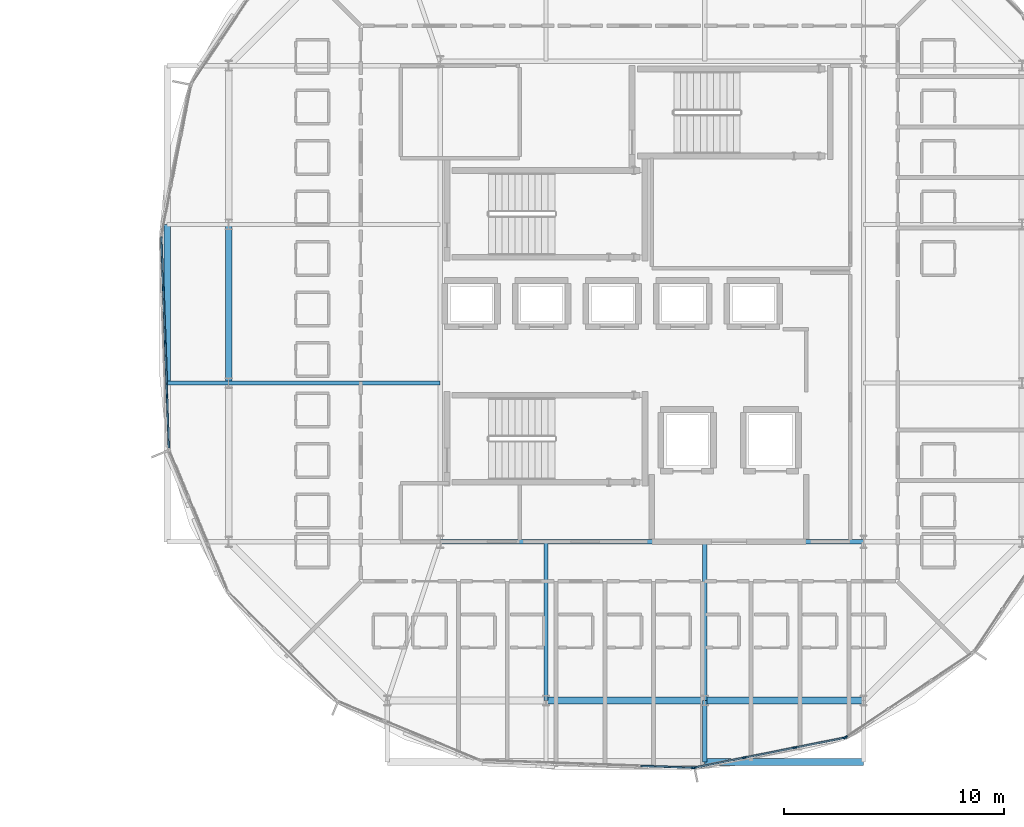
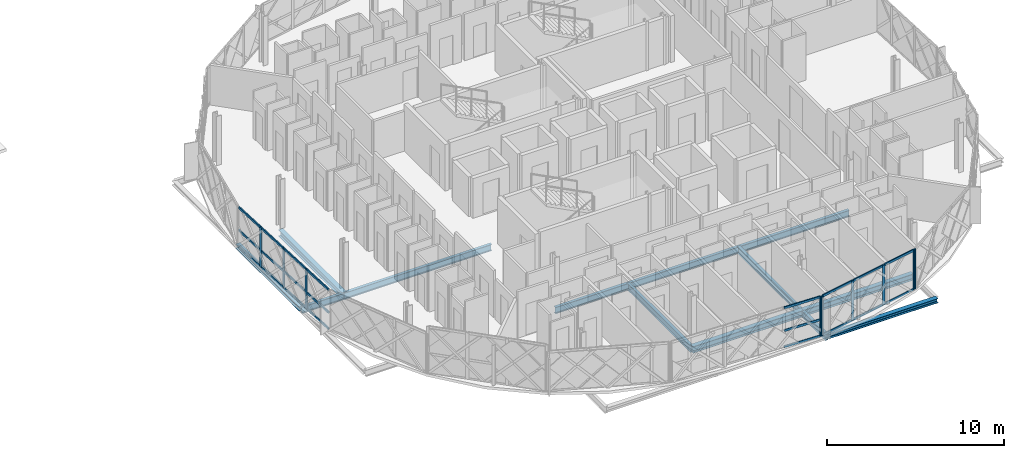
# One storey, part 9 of 40: 30 members, 11 beams, 4 elements without a shape of their own.
"""IFC4 building model written with IfcOpenShell, lengths in metres."""

from ifc_helpers import new_model, si_unit, direction, frame, origin, origin_2d, place, context, subcontext, project, spatial, rectangle, i_section, extrude, material, layer, layer_set, material_profile, profile_set, type_object, element, aggregate, save


model = new_model("IFC4")

# Units and contexts
model_context = context("Model", 3, precision=1e-05, world=origin(), true_north=direction((0.0, 1.0)))
body_context = subcontext(model_context, "Body", "Model", "MODEL_VIEW")
ifc_project = project(units=[si_unit("LENGTHUNIT", "METRE"), si_unit("AREAUNIT", "SQUARE_METRE"), si_unit("VOLUMEUNIT", "CUBIC_METRE"), si_unit("PLANEANGLEUNIT", "RADIAN"), si_unit("MASSUNIT", "GRAM", prefix="KILO")], contexts=[model_context])

# Site, building, storey
site_placement = place(None, origin())
site = spatial("IfcSite", under=ifc_project, at=site_placement, CompositionType="ELEMENT")
building_placement = place(site_placement, origin())
building = spatial("IfcBuilding", under=site, at=building_placement, Name="Zevrakil Square Congress Hotel", CompositionType="ELEMENT")
storey_placement = place(building_placement, frame((0.0, 0.0, 18.10009765625)))
storey = spatial("IfcBuildingStorey", under=building, at=storey_placement, Name="L05", CompositionType="ELEMENT", Elevation=18.10009765625)

# Beams
ifc_material_1 = material(Name="Steel S355", Category="steel")
ifc_material_profile_1 = material_profile(ifc_material_1, i_section(OverallWidth=0.300048828125, OverallDepth=0.43994140625, WebThickness=0.011474609375, FlangeThickness=0.02099609375, FilletRadius=0.027099609375, at=origin_2d()), Name="HEA 450")
ifc_profile_set_1 = profile_set([ifc_material_profile_1], Name="Steel S355")
beam_type_1 = type_object("IfcBeamType", Name="BM-HEA450", PredefinedType="BEAM", material=ifc_profile_set_1)
for number, where, z_axis, x_axis, name in (
    (1, (141.60009765625, 9.60009765625, -0.405029296875), (1.0, 0.0, 0.0), (0.0, 1.0, 0.0), "L05 drum ring girder DRB-02"),
    (2, (148.800048828125, 9.60009765625, -0.405029296875), (1.0, 0.0, 0.0), (0.0, 1.0, 0.0), "L05 drum ring girder DRB-03"),
    (3, (127.199951171875, 31.199951171875, -0.405029296875), (0.0, -1.0, 0.0), (1.0, 0.0, 0.0), "L05 drum ring girder DRB-14"),
):
    element("IfcBeam", number, at=place(storey_placement, frame(where, z_axis=z_axis, x_axis=x_axis)), inside=storey, type_object=beam_type_1, Name=name, PredefinedType="BEAM", context=body_context, shape_type="SweptSolid", body=[
        extrude(i_section(OverallWidth=0.300048828125, OverallDepth=0.43994140625, WebThickness=0.011474609375, FlangeThickness=0.02099609375, FilletRadius=0.027099609375, at=origin_2d()), origin(), (0.0, 0.0, 1.0), 7.199951171875),
    ])
ifc_material_2 = material(Name="Steel S355", Category="steel")
ifc_material_profile_2 = material_profile(ifc_material_2, i_section(OverallWidth=0.18994140625, OverallDepth=0.449951171875, WebThickness=0.009521484375, FlangeThickness=0.0146484375, FilletRadius=0.02099609375, at=origin_2d()), Name="IPE 450")
ifc_profile_set_2 = profile_set([ifc_material_profile_2], Name="Steel S355")
beam_type_2 = type_object("IfcBeamType", Name="BM-IPE450", PredefinedType="BEAM", material=ifc_profile_set_2)
beam_1_placement = place(storey_placement, frame((136.800048828125, 16.800048828125, -0.41015625), z_axis=(1.0, 0.0, 0.0), x_axis=(0.0, 1.0, 0.0)))
element("IfcBeam", 4, at=beam_1_placement, inside=storey, type_object=beam_type_2, Name="L05 drum core perimeter tie beam DCB-01", PredefinedType="BEAM", context=body_context, shape_type="SweptSolid", body=[
    extrude(i_section(OverallWidth=0.18994140625, OverallDepth=0.449951171875, WebThickness=0.009521484375, FlangeThickness=0.0146484375, FilletRadius=0.02099609375, at=origin_2d()), origin(), (0.0, 0.0, 1.0), 19.199951171875),
])
for number, where, z_axis, x_axis, name in (
    (5, (141.60009765625, 16.800048828125, -0.41015625), (0.0, -1.0, 0.0), (1.0, 0.0, 0.0), "L05 drum radial floor beam DRI-02"),
    (6, (148.800048828125, 16.800048828125, -0.41015625), (0.0, -1.0, 0.0), (1.0, 0.0, 0.0), "L05 drum radial floor beam DRI-03"),
):
    element("IfcBeam", number, at=place(storey_placement, frame(where, z_axis=z_axis, x_axis=x_axis)), inside=storey, type_object=beam_type_2, Name=name, PredefinedType="BEAM", context=body_context, shape_type="SweptSolid", body=[
        extrude(i_section(OverallWidth=0.18994140625, OverallDepth=0.449951171875, WebThickness=0.009521484375, FlangeThickness=0.0146484375, FilletRadius=0.02099609375, at=origin_2d()), origin(), (0.0, 0.0, 1.0), 7.199951171875),
    ])
beam_2_placement = place(storey_placement, frame((148.800048828125, 9.60009765625, -0.41015625), z_axis=(0.0, -1.0, 0.0), x_axis=(1.0, 0.0, 0.0)))
element("IfcBeam", 7, at=beam_2_placement, inside=storey, type_object=beam_type_2, Name="L05 drum radial edge cantilever beam DRO-03", PredefinedType="BEAM", context=body_context, shape_type="SweptSolid", body=[
    extrude(i_section(OverallWidth=0.18994140625, OverallDepth=0.449951171875, WebThickness=0.009521484375, FlangeThickness=0.0146484375, FilletRadius=0.02099609375, at=origin_2d()), origin(), (0.0, 0.0, 1.0), 2.79248046875),
])
beam_3_placement = place(storey_placement, frame((136.800048828125, 24.0, -0.41015625), z_axis=(-1.0, 0.0, 0.0), x_axis=(0.0, -1.0, 0.0)))
element("IfcBeam", 8, at=beam_3_placement, inside=storey, type_object=beam_type_2, Name="L05 drum radial floor beam DRI-15", PredefinedType="BEAM", context=body_context, shape_type="SweptSolid", body=[
    extrude(i_section(OverallWidth=0.18994140625, OverallDepth=0.449951171875, WebThickness=0.009521484375, FlangeThickness=0.0146484375, FilletRadius=0.02099609375, at=origin_2d()), origin(), (0.0, 0.0, 1.0), 9.60009765625),
])
beam_4_placement = place(storey_placement, frame((127.199951171875, 24.0, -0.41015625), z_axis=(-1.0, 0.0, 0.0), x_axis=(0.0, -1.0, 0.0)))
element("IfcBeam", 9, at=beam_4_placement, inside=storey, type_object=beam_type_2, Name="L05 drum radial edge cantilever beam DRO-15", PredefinedType="BEAM", context=body_context, shape_type="SweptSolid", body=[
    extrude(i_section(OverallWidth=0.18994140625, OverallDepth=0.449951171875, WebThickness=0.009521484375, FlangeThickness=0.0146484375, FilletRadius=0.02099609375, at=origin_2d()), origin(), (0.0, 0.0, 1.0), 2.79248046875),
])

# Curtain wall, members
ifc_material_3 = material(Name="Aluminium Anodised Bronze", Category="aluminium")
ifc_layer_1 = layer(ifc_material_3, 0.179931640625)
ifc_layer_set_1 = layer_set([ifc_layer_1], Name="Aluminium Anodised Bronze")
curtain_wall_type_1 = type_object("IfcCurtainWallType", Name="CW-L05-720", PredefinedType="USERDEFINED", material=ifc_layer_set_1)
curtain_wall_1_placement = place(storey_placement, origin())
curtain_wall_1 = element("IfcCurtainWall", 10, at=curtain_wall_1_placement, inside=storey, type_object=curtain_wall_type_1, Name="L05 diamond curtain wall CW-L05-0183", ObjectType="GLAZED CURTAIN WALL", PredefinedType="USERDEFINED")
ifc_material_4 = material(Name="Aluminium Anodised Bronze", Category="aluminium")
ifc_material_profile_3 = material_profile(ifc_material_4, rectangle(XDim=0.074951171875, YDim=0.14990234375, at=origin_2d()), Name="ALU 75x150")
ifc_profile_set_3 = profile_set([ifc_material_profile_3], Name="Aluminium Anodised Bronze")
member_type_1 = type_object("IfcMemberType", Name="CWM-ALU75x150", PredefinedType="USERDEFINED", material=ifc_profile_set_3)
member_1_placement = place(storey_placement, frame((148.3564453125, 6.559326171875, 0.02978515625), z_axis=(0.980785085671, 0.195091300997, 0.0), x_axis=(-0.195091300997, 0.980785085671, 0.0)))
member_1 = element("IfcMember", 11, at=member_1_placement, type_object=member_type_1, Name="CW-58 transom 1.1", ObjectType="TRANSOM", PredefinedType="USERDEFINED", context=body_context, shape_type="SweptSolid", body=[
    extrude(rectangle(XDim=0.074951171875, YDim=0.14990234375, at=origin_2d()), origin(), (0.0, 0.0, 1.0), 2.2451171875),
])
member_2_placement = place(storey_placement, frame((148.3564453125, 6.559326171875, 2.71484375), z_axis=(0.980785085671, 0.195091300997, 0.0), x_axis=(-0.195091300997, 0.980785085671, 0.0)))
member_2 = element("IfcMember", 12, at=member_2_placement, type_object=member_type_1, Name="CW-58 transom 1.2", ObjectType="TRANSOM", PredefinedType="USERDEFINED", context=body_context, shape_type="SweptSolid", body=[
    extrude(rectangle(XDim=0.074951171875, YDim=0.14990234375, at=origin_2d()), origin(), (0.0, 0.0, 1.0), 2.2451171875),
])
member_3_placement = place(storey_placement, frame((150.6171875, 7.009033203125, 0.02978515625), z_axis=(0.9807905758, 0.19506369837, 0.0), x_axis=(-0.19506369837, 0.9807905758, 0.0)))
member_3 = element("IfcMember", 13, at=member_3_placement, type_object=member_type_1, Name="CW-58 transom 2.1", ObjectType="TRANSOM", PredefinedType="USERDEFINED", context=body_context, shape_type="SweptSolid", body=[
    extrude(rectangle(XDim=0.074951171875, YDim=0.14990234375, at=origin_2d()), origin(), (0.0, 0.0, 1.0), 2.275390625),
])
member_4_placement = place(storey_placement, frame((150.6171875, 7.009033203125, 2.71484375), z_axis=(0.9807905758, 0.19506369837, 0.0), x_axis=(-0.19506369837, 0.9807905758, 0.0)))
member_4 = element("IfcMember", 14, at=member_4_placement, type_object=member_type_1, Name="CW-58 transom 2.2", ObjectType="TRANSOM", PredefinedType="USERDEFINED", context=body_context, shape_type="SweptSolid", body=[
    extrude(rectangle(XDim=0.074951171875, YDim=0.14990234375, at=origin_2d()), origin(), (0.0, 0.0, 1.0), 2.275390625),
])
member_5_placement = place(storey_placement, frame((152.90771484375, 7.464599609375, 0.02978515625), z_axis=(0.98078922397, 0.195070495322, 0.0), x_axis=(-0.195070495322, 0.98078922397, 0.0)))
member_5 = element("IfcMember", 15, at=member_5_placement, type_object=member_type_1, Name="CW-58 transom 3.1", ObjectType="TRANSOM", PredefinedType="USERDEFINED", context=body_context, shape_type="SweptSolid", body=[
    extrude(rectangle(XDim=0.074951171875, YDim=0.14990234375, at=origin_2d()), origin(), (0.0, 0.0, 1.0), 2.245361328125),
])
member_6_placement = place(storey_placement, frame((152.90771484375, 7.464599609375, 2.71484375), z_axis=(0.98078922397, 0.195070495322, 0.0), x_axis=(-0.195070495322, 0.98078922397, 0.0)))
member_6 = element("IfcMember", 16, at=member_6_placement, type_object=member_type_1, Name="CW-58 transom 3.2", ObjectType="TRANSOM", PredefinedType="USERDEFINED", context=body_context, shape_type="SweptSolid", body=[
    extrude(rectangle(XDim=0.074951171875, YDim=0.14990234375, at=origin_2d()), origin(), (0.0, 0.0, 1.0), 2.245361328125),
])

ifc_material_5 = material(Name="Aluminium Anodised Bronze", Category="aluminium")
ifc_layer_2 = layer(ifc_material_5, 0.179931640625)
ifc_layer_set_2 = layer_set([ifc_layer_2], Name="Aluminium Anodised Bronze")
curtain_wall_type_2 = type_object("IfcCurtainWallType", Name="CW-L05-900", PredefinedType="USERDEFINED", material=ifc_layer_set_2)
curtain_wall_2_placement = place(storey_placement, origin())
curtain_wall_2 = element("IfcCurtainWall", 17, at=curtain_wall_2_placement, inside=storey, type_object=curtain_wall_type_2, Name="L05 diamond curtain wall CW-L05-0196", ObjectType="GLAZED CURTAIN WALL", PredefinedType="USERDEFINED")
member_7_placement = place(storey_placement, frame((124.149658203125, 30.637451171875, 0.02978515625), z_axis=(0.035534957911, -0.999368433945, 0.0), x_axis=(0.999368433945, 0.035534957911, 0.0)))
member_7 = element("IfcMember", 18, at=member_7_placement, type_object=member_type_1, Name="CW-60 transom 1.1", ObjectType="TRANSOM", PredefinedType="USERDEFINED", context=body_context, shape_type="SweptSolid", body=[
    extrude(rectangle(XDim=0.074951171875, YDim=0.14990234375, at=origin_2d()), origin(), (0.0, 0.0, 1.0), 2.3359375),
])
member_8_placement = place(storey_placement, frame((124.149658203125, 30.637451171875, 1.15283203125), z_axis=(0.035534957911, -0.999368433945, 0.0), x_axis=(0.999368433945, 0.035534957911, 0.0)))
member_8 = element("IfcMember", 19, at=member_8_placement, type_object=member_type_1, Name="CW-60 transom 1.2", ObjectType="TRANSOM", PredefinedType="USERDEFINED", context=body_context, shape_type="SweptSolid", body=[
    extrude(rectangle(XDim=0.074951171875, YDim=0.14990234375, at=origin_2d()), origin(), (0.0, 0.0, 1.0), 2.3359375),
])
member_9_placement = place(storey_placement, frame((124.149658203125, 30.637451171875, 2.71484375), z_axis=(0.035534957911, -0.999368433945, 0.0), x_axis=(0.999368433945, 0.035534957911, 0.0)))
member_9 = element("IfcMember", 20, at=member_9_placement, type_object=member_type_1, Name="CW-60 transom 1.3", ObjectType="TRANSOM", PredefinedType="USERDEFINED", context=body_context, shape_type="SweptSolid", body=[
    extrude(rectangle(XDim=0.074951171875, YDim=0.14990234375, at=origin_2d()), origin(), (0.0, 0.0, 1.0), 2.3359375),
])
member_10_placement = place(storey_placement, frame((124.23486328125, 28.2431640625, 0.02978515625), z_axis=(0.035496459672, -0.999369802101, 0.0), x_axis=(0.999369802101, 0.035496459672, 0.0)))
member_10 = element("IfcMember", 21, at=member_10_placement, type_object=member_type_1, Name="CW-60 transom 2.1", ObjectType="TRANSOM", PredefinedType="USERDEFINED", context=body_context, shape_type="SweptSolid", body=[
    extrude(rectangle(XDim=0.074951171875, YDim=0.14990234375, at=origin_2d()), origin(), (0.0, 0.0, 1.0), 2.365966796875),
])
member_11_placement = place(storey_placement, frame((124.23486328125, 28.2431640625, 1.15283203125), z_axis=(0.035496459672, -0.999369802101, 0.0), x_axis=(0.999369802101, 0.035496459672, 0.0)))
member_11 = element("IfcMember", 22, at=member_11_placement, type_object=member_type_1, Name="CW-60 transom 2.2", ObjectType="TRANSOM", PredefinedType="USERDEFINED", context=body_context, shape_type="SweptSolid", body=[
    extrude(rectangle(XDim=0.074951171875, YDim=0.14990234375, at=origin_2d()), origin(), (0.0, 0.0, 1.0), 2.365966796875),
])
member_12_placement = place(storey_placement, frame((124.23486328125, 28.2431640625, 2.71484375), z_axis=(0.035496459672, -0.999369802101, 0.0), x_axis=(0.999369802101, 0.035496459672, 0.0)))
member_12 = element("IfcMember", 23, at=member_12_placement, type_object=member_type_1, Name="CW-60 transom 2.3", ObjectType="TRANSOM", PredefinedType="USERDEFINED", context=body_context, shape_type="SweptSolid", body=[
    extrude(rectangle(XDim=0.074951171875, YDim=0.14990234375, at=origin_2d()), origin(), (0.0, 0.0, 1.0), 2.365966796875),
])
member_13_placement = place(storey_placement, frame((124.321044921875, 25.818603515625, 0.02978515625), z_axis=(0.035599516472, -0.999366136322, 0.0), x_axis=(0.999366136322, 0.035599516472, 0.0)))
member_13 = element("IfcMember", 24, at=member_13_placement, type_object=member_type_1, Name="CW-60 transom 3.1", ObjectType="TRANSOM", PredefinedType="USERDEFINED", context=body_context, shape_type="SweptSolid", body=[
    extrude(rectangle(XDim=0.074951171875, YDim=0.14990234375, at=origin_2d()), origin(), (0.0, 0.0, 1.0), 2.365966796875),
])
member_14_placement = place(storey_placement, frame((124.321044921875, 25.818603515625, 1.15283203125), z_axis=(0.035599516472, -0.999366136322, 0.0), x_axis=(0.999366136322, 0.035599516472, 0.0)))
member_14 = element("IfcMember", 25, at=member_14_placement, type_object=member_type_1, Name="CW-60 transom 3.2", ObjectType="TRANSOM", PredefinedType="USERDEFINED", context=body_context, shape_type="SweptSolid", body=[
    extrude(rectangle(XDim=0.074951171875, YDim=0.14990234375, at=origin_2d()), origin(), (0.0, 0.0, 1.0), 2.365966796875),
])
member_15_placement = place(storey_placement, frame((124.321044921875, 25.818603515625, 2.71484375), z_axis=(0.035599516472, -0.999366136322, 0.0), x_axis=(0.999366136322, 0.035599516472, 0.0)))
member_15 = element("IfcMember", 26, at=member_15_placement, type_object=member_type_1, Name="CW-60 transom 3.3", ObjectType="TRANSOM", PredefinedType="USERDEFINED", context=body_context, shape_type="SweptSolid", body=[
    extrude(rectangle(XDim=0.074951171875, YDim=0.14990234375, at=origin_2d()), origin(), (0.0, 0.0, 1.0), 2.365966796875),
])
member_16_placement = place(storey_placement, frame((124.4072265625, 23.394287109375, 0.02978515625), z_axis=(0.035635617875, -0.999364849661, 0.0), x_axis=(0.999364849661, 0.035635617875, 0.0)))
member_16 = element("IfcMember", 27, at=member_16_placement, type_object=member_type_1, Name="CW-60 transom 4.1", ObjectType="TRANSOM", PredefinedType="USERDEFINED", context=body_context, shape_type="SweptSolid", body=[
    extrude(rectangle(XDim=0.074951171875, YDim=0.14990234375, at=origin_2d()), origin(), (0.0, 0.0, 1.0), 2.336181640625),
])
member_17_placement = place(storey_placement, frame((124.4072265625, 23.394287109375, 1.15283203125), z_axis=(0.035635617875, -0.999364849661, 0.0), x_axis=(0.999364849661, 0.035635617875, 0.0)))
member_17 = element("IfcMember", 28, at=member_17_placement, type_object=member_type_1, Name="CW-60 transom 4.2", ObjectType="TRANSOM", PredefinedType="USERDEFINED", context=body_context, shape_type="SweptSolid", body=[
    extrude(rectangle(XDim=0.074951171875, YDim=0.14990234375, at=origin_2d()), origin(), (0.0, 0.0, 1.0), 2.336181640625),
])
member_18_placement = place(storey_placement, frame((124.4072265625, 23.394287109375, 2.71484375), z_axis=(0.035635617875, -0.999364849661, 0.0), x_axis=(0.999364849661, 0.035635617875, 0.0)))
member_18 = element("IfcMember", 29, at=member_18_placement, type_object=member_type_1, Name="CW-60 transom 4.3", ObjectType="TRANSOM", PredefinedType="USERDEFINED", context=body_context, shape_type="SweptSolid", body=[
    extrude(rectangle(XDim=0.074951171875, YDim=0.14990234375, at=origin_2d()), origin(), (0.0, 0.0, 1.0), 2.336181640625),
])

curtain_wall_3_placement = place(storey_placement, origin())
curtain_wall_3 = element("IfcCurtainWall", 30, at=curtain_wall_3_placement, inside=storey, type_object=curtain_wall_type_2, Name="L05 diamond curtain wall CW-L05-0200", ObjectType="GLAZED CURTAIN WALL", PredefinedType="USERDEFINED")
member_19_placement = place(storey_placement, frame((145.903076171875, 6.632568359375, 0.02978515625), z_axis=(0.999368433945, -0.035534957911, 0.0), x_axis=(0.035534957911, 0.999368433945, 0.0)))
member_19 = element("IfcMember", 31, at=member_19_placement, type_object=member_type_1, Name="CW-60 transom 4.1", ObjectType="TRANSOM", PredefinedType="USERDEFINED", context=body_context, shape_type="SweptSolid", body=[
    extrude(rectangle(XDim=0.074951171875, YDim=0.14990234375, at=origin_2d()), origin(), (0.0, 0.0, 1.0), 2.3359375),
])
member_20_placement = place(storey_placement, frame((145.903076171875, 6.632568359375, 1.15283203125), z_axis=(0.999368433945, -0.035534957911, 0.0), x_axis=(0.035534957911, 0.999368433945, 0.0)))
member_20 = element("IfcMember", 32, at=member_20_placement, type_object=member_type_1, Name="CW-60 transom 4.2", ObjectType="TRANSOM", PredefinedType="USERDEFINED", context=body_context, shape_type="SweptSolid", body=[
    extrude(rectangle(XDim=0.074951171875, YDim=0.14990234375, at=origin_2d()), origin(), (0.0, 0.0, 1.0), 2.3359375),
])
member_21_placement = place(storey_placement, frame((145.903076171875, 6.632568359375, 2.71484375), z_axis=(0.999368433945, -0.035534957911, 0.0), x_axis=(0.035534957911, 0.999368433945, 0.0)))
member_21 = element("IfcMember", 33, at=member_21_placement, type_object=member_type_1, Name="CW-60 transom 4.3", ObjectType="TRANSOM", PredefinedType="USERDEFINED", context=body_context, shape_type="SweptSolid", body=[
    extrude(rectangle(XDim=0.074951171875, YDim=0.14990234375, at=origin_2d()), origin(), (0.0, 0.0, 1.0), 2.3359375),
])

# Member
ifc_material_6 = material(Name="Aluminium Anodised Bronze", Category="aluminium")
ifc_material_profile_4 = material_profile(ifc_material_6, rectangle(XDim=0.074951171875, YDim=0.179931640625, at=origin_2d()), Name="ALU 75x180")
ifc_profile_set_4 = profile_set([ifc_material_profile_4], Name="Aluminium Anodised Bronze")
member_type_2 = type_object("IfcMemberType", Name="CWM-ALU75x180", PredefinedType="MULLION", material=ifc_profile_set_4)
member_22_placement = place(storey_placement, frame((148.326904296875, 6.553466796875, 0.0), z_axis=(0.0, 0.0, 1.0), x_axis=(-0.195083900459, 0.980786557708, 0.0)))
member_22 = element("IfcMember", 34, at=member_22_placement, type_object=member_type_2, Name="CW-58 mullion 1", PredefinedType="MULLION", context=body_context, shape_type="SweptSolid", body=[
    extrude(rectangle(XDim=0.074951171875, YDim=0.179931640625, at=origin_2d()), origin(), (0.0, 0.0, 1.0), 2.744873046875),
])

member_23_placement = place(storey_placement, frame((150.587890625, 7.003173828125, 0.0), z_axis=(0.0, 0.0, 1.0), x_axis=(-0.195083900459, 0.980786557708, 0.0)))
member_23 = element("IfcMember", 35, at=member_23_placement, type_object=member_type_2, Name="CW-58 mullion 2", PredefinedType="MULLION", context=body_context, shape_type="SweptSolid", body=[
    extrude(rectangle(XDim=0.074951171875, YDim=0.179931640625, at=origin_2d()), origin(), (0.0, 0.0, 1.0), 2.744873046875),
])

member_24_placement = place(storey_placement, frame((152.878173828125, 7.458740234375, 0.0), z_axis=(0.0, 0.0, 1.0), x_axis=(-0.195083900459, 0.980786557708, 0.0)))
member_24 = element("IfcMember", 36, at=member_24_placement, type_object=member_type_2, Name="CW-58 mullion 3", PredefinedType="MULLION", context=body_context, shape_type="SweptSolid", body=[
    extrude(rectangle(XDim=0.074951171875, YDim=0.179931640625, at=origin_2d()), origin(), (0.0, 0.0, 1.0), 2.744873046875),
])

member_25_placement = place(storey_placement, frame((155.13916015625, 7.908447265625, 0.0), z_axis=(0.0, 0.0, 1.0), x_axis=(-0.195083900459, 0.980786557708, 0.0)))
member_25 = element("IfcMember", 37, at=member_25_placement, type_object=member_type_2, Name="CW-58 mullion 4", PredefinedType="MULLION", context=body_context, shape_type="SweptSolid", body=[
    extrude(rectangle(XDim=0.074951171875, YDim=0.179931640625, at=origin_2d()), origin(), (0.0, 0.0, 1.0), 2.744873046875),
])

aggregate(curtain_wall_1, [member_22, member_23, member_24, member_25, member_1, member_2, member_3, member_4, member_5, member_6])

# Curtain wall, member
curtain_wall_4_placement = place(storey_placement, origin())
curtain_wall_4 = element("IfcCurtainWall", 38, at=curtain_wall_4_placement, inside=storey, type_object=curtain_wall_type_1, Name="L05 diamond curtain wall CW-L05-0184", ObjectType="GLAZED CURTAIN WALL", PredefinedType="USERDEFINED")
member_26_placement = place(storey_placement, frame((155.193603515625, 7.930908203125, 0.0), z_axis=(0.0, 0.0, 1.0), x_axis=(-0.555576098128, 0.831465693332, 0.0)))
member_26 = element("IfcMember", 39, at=member_26_placement, type_object=member_type_2, Name="CW-58 mullion 1", PredefinedType="MULLION", context=body_context, shape_type="SweptSolid", body=[
    extrude(rectangle(XDim=0.074951171875, YDim=0.179931640625, at=origin_2d()), origin(), (0.0, 0.0, 1.0), 2.744873046875),
])
aggregate(curtain_wall_4, [member_26])

# Member
member_27_placement = place(storey_placement, frame((124.233642578125, 28.27294921875, 0.0), z_axis=(0.0, 0.0, 1.0), x_axis=(0.999367806889, 0.035552588564, 0.0)))
member_27 = element("IfcMember", 40, at=member_27_placement, type_object=member_type_2, Name="CW-60 mullion 2", PredefinedType="MULLION", context=body_context, shape_type="SweptSolid", body=[
    extrude(rectangle(XDim=0.074951171875, YDim=0.179931640625, at=origin_2d()), origin(), (0.0, 0.0, 1.0), 2.744873046875),
])

member_28_placement = place(storey_placement, frame((124.320068359375, 25.8486328125, 0.0), z_axis=(0.0, 0.0, 1.0), x_axis=(0.999367806889, 0.035552588564, 0.0)))
member_28 = element("IfcMember", 41, at=member_28_placement, type_object=member_type_2, Name="CW-60 mullion 3", PredefinedType="MULLION", context=body_context, shape_type="SweptSolid", body=[
    extrude(rectangle(XDim=0.074951171875, YDim=0.179931640625, at=origin_2d()), origin(), (0.0, 0.0, 1.0), 2.744873046875),
])

member_29_placement = place(storey_placement, frame((124.40625, 23.424072265625, 0.0), z_axis=(0.0, 0.0, 1.0), x_axis=(0.999367806889, 0.035552588564, 0.0)))
member_29 = element("IfcMember", 42, at=member_29_placement, type_object=member_type_2, Name="CW-60 mullion 4", PredefinedType="MULLION", context=body_context, shape_type="SweptSolid", body=[
    extrude(rectangle(XDim=0.074951171875, YDim=0.179931640625, at=origin_2d()), origin(), (0.0, 0.0, 1.0), 2.744873046875),
])

aggregate(curtain_wall_2, [member_27, member_28, member_29, member_7, member_8, member_9, member_10, member_11, member_12, member_13, member_14, member_15, member_16, member_17, member_18])

member_30_placement = place(storey_placement, frame((148.267578125, 6.548583984375, 0.0), z_axis=(0.0, 0.0, 1.0), x_axis=(0.035552588564, 0.999367806889, 0.0)))
member_30 = element("IfcMember", 43, at=member_30_placement, type_object=member_type_2, Name="CW-60 mullion 5", PredefinedType="MULLION", context=body_context, shape_type="SweptSolid", body=[
    extrude(rectangle(XDim=0.074951171875, YDim=0.179931640625, at=origin_2d()), origin(), (0.0, 0.0, 1.0), 2.744873046875),
])

aggregate(curtain_wall_3, [member_30, member_19, member_20, member_21])

# Beams
ifc_material_7 = material(Name="Steel S355", Category="steel")
ifc_material_profile_5 = material_profile(ifc_material_7, i_section(OverallWidth=0.300048828125, OverallDepth=0.300048828125, WebThickness=0.010986328125, FlangeThickness=0.01904296875, FilletRadius=0.027099609375, at=origin_2d()), Name="HEB 300")
ifc_profile_set_5 = profile_set([ifc_material_profile_5], Name="Steel S355")
beam_type_3 = type_object("IfcBeamType", Name="SPD-RHS250", PredefinedType="SPANDREL", material=ifc_profile_set_5)
for number, where, z_axis, x_axis, name in (
    (44, (148.800048828125, 6.8076171875, -0.335205078125), (1.0, 0.0, 0.0), (0.0, 1.0, 0.0), "L05 drum edge spandrel beam DSP-02"),
    (45, (124.407470703125, 31.199951171875, -0.335205078125), (0.0, -1.0, 0.0), (1.0, 0.0, 0.0), "L05 drum edge spandrel beam DSP-13"),
):
    element("IfcBeam", number, at=place(storey_placement, frame(where, z_axis=z_axis, x_axis=x_axis)), inside=storey, type_object=beam_type_3, Name=name, PredefinedType="SPANDREL", context=body_context, shape_type="SweptSolid", body=[
        extrude(i_section(OverallWidth=0.300048828125, OverallDepth=0.300048828125, WebThickness=0.010986328125, FlangeThickness=0.01904296875, FilletRadius=0.027099609375, at=origin_2d()), origin(), (0.0, 0.0, 1.0), 7.199951171875),
    ])

save(model, "model.ifc")
